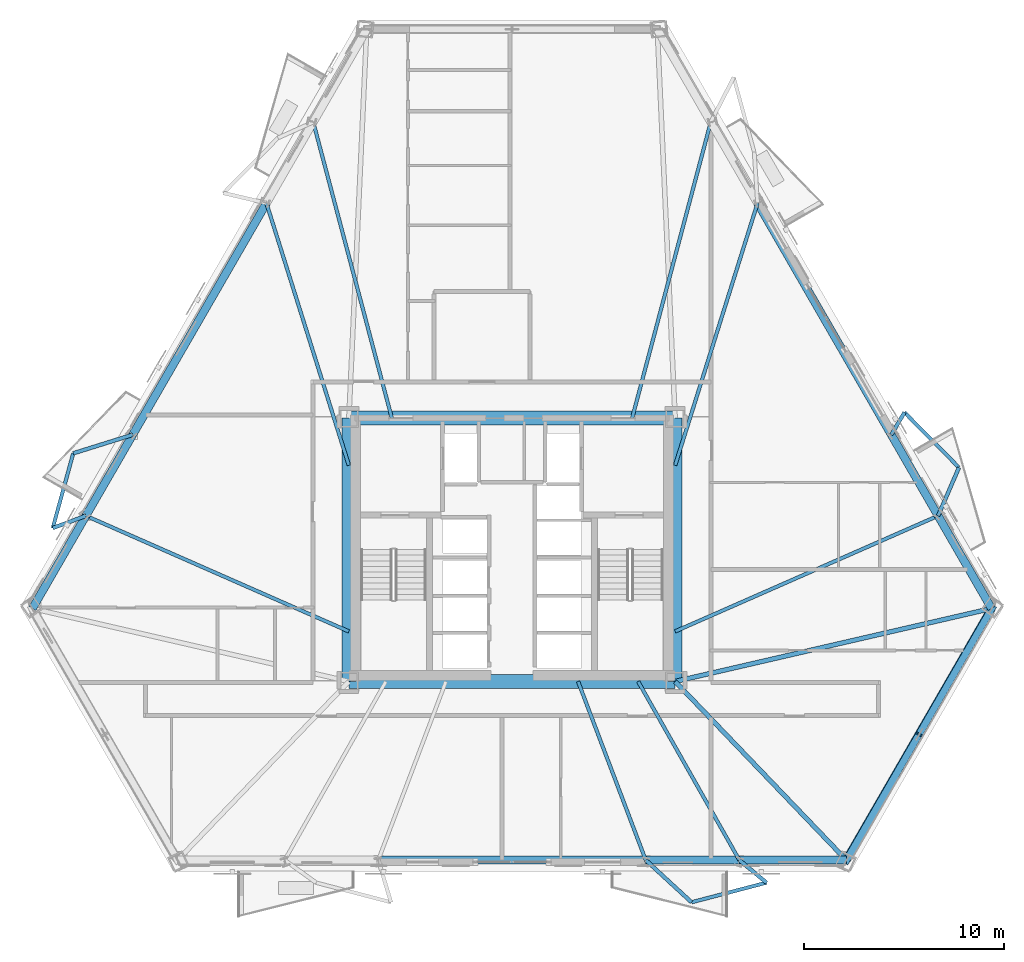
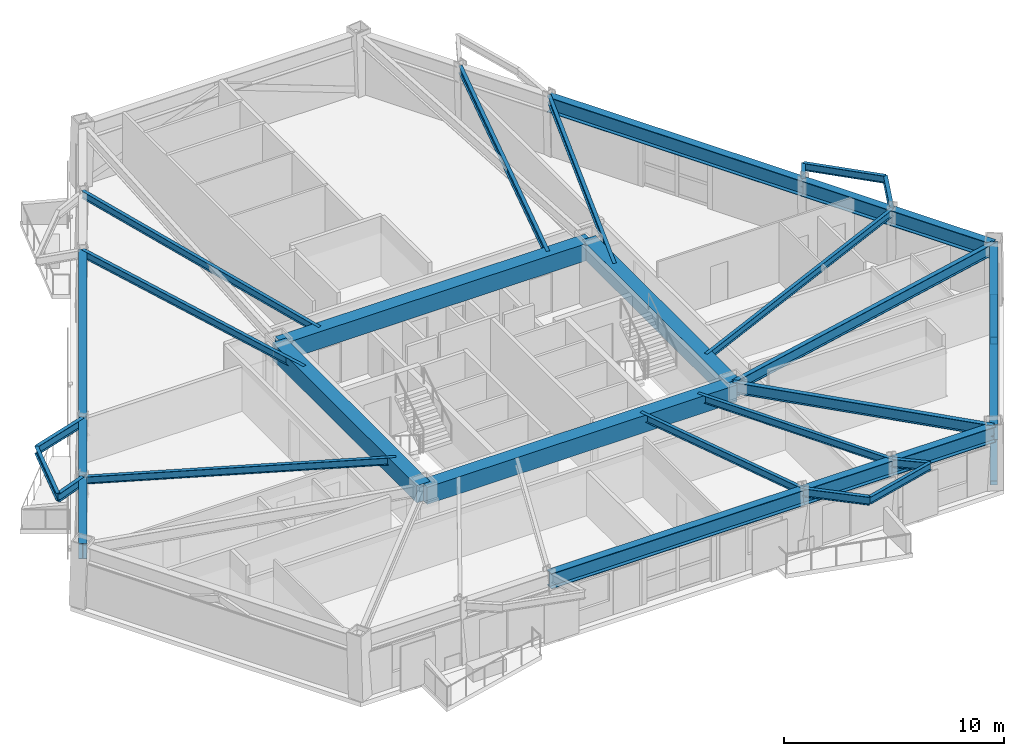
# One storey, part 3 of 15: 33 beams, 2 members.
"""IFC4 building model written with IfcOpenShell, lengths in metres."""

from ifc_helpers import new_model, si_unit, direction, frame, origin, origin_2d, place, context, subcontext, project, spatial, rectangle, hollow_rectangle, i_section, extrude, material, material_profile, profile_set, type_object, element, save


model = new_model("IFC4")

# Units and contexts
model_context = context("Model", 3, precision=1e-05, world=origin(), true_north=direction((0.0, 1.0)))
body_context = subcontext(model_context, "Body", "Model", "MODEL_VIEW")
ifc_project = project(units=[si_unit("LENGTHUNIT", "METRE"), si_unit("AREAUNIT", "SQUARE_METRE"), si_unit("VOLUMEUNIT", "CUBIC_METRE"), si_unit("PLANEANGLEUNIT", "RADIAN"), si_unit("MASSUNIT", "GRAM", prefix="KILO")], contexts=[model_context])

# Site, building, storey
site_placement = place(None, origin())
site = spatial("IfcSite", under=ifc_project, at=site_placement, CompositionType="ELEMENT")
building_placement = place(site_placement, origin())
building = spatial("IfcBuilding", under=site, at=building_placement, Name="Oramaril Tower", CompositionType="ELEMENT")
storey_placement = place(building_placement, frame((0.0, 0.0, 48.89990234375)))
storey = spatial("IfcBuildingStorey", under=building, at=storey_placement, Name="L12", CompositionType="ELEMENT", Elevation=48.89990234375)

# Beams
ifc_material_1 = material(Name="Steel ASTM A572 Gr 50", Category="steel")
ifc_material_profile_1 = material_profile(ifc_material_1, i_section(OverallWidth=0.19091796875, OverallDepth=0.45703125, WebThickness=0.009033203125, FlangeThickness=0.014404296875, at=origin_2d()), Name="W18X50")
ifc_profile_set_1 = profile_set([ifc_material_profile_1], Name="Steel ASTM A572 Gr 50")
beam_type_1 = type_object("IfcBeamType", Name="BT-BB1", PredefinedType="BEAM", material=ifc_profile_set_1)
beam_1_placement = place(storey_placement, frame((44.180419921875, 2.07763671875, 3.131591796875), z_axis=(0.735615063105, -0.67739979254, 0.0), x_axis=(0.67739979254, 0.735615063105, 0.0)))
element("IfcBeam", 1, at=beam_1_placement, inside=storey, type_object=beam_type_1, Name="L12 Balcony Column-Framed Cantilever 02.1", PredefinedType="BEAM", context=body_context, shape_type="SweptSolid", body=[
    extrude(i_section(OverallWidth=0.19091796875, OverallDepth=0.45703125, WebThickness=0.009033203125, FlangeThickness=0.014404296875, at=origin_2d()), origin(), (0.0, 0.0, 1.0), 3.11181640625),
])
beam_2_placement = place(storey_placement, frame((48.856689453125, 2.07763671875, 3.131591796875), z_axis=(0.768958021839, -0.63929927315, 0.0), x_axis=(0.63929927315, 0.768958021839, 0.0)))
element("IfcBeam", 2, at=beam_2_placement, inside=storey, type_object=beam_type_1, Name="L12 Balcony Column-Framed Cantilever 02.2", PredefinedType="BEAM", context=body_context, shape_type="SweptSolid", body=[
    extrude(i_section(OverallWidth=0.19091796875, OverallDepth=0.45703125, WebThickness=0.009033203125, FlangeThickness=0.014404296875, at=origin_2d()), origin(), (0.0, 0.0, 1.0), 1.764404296875),
])
beam_3_placement = place(storey_placement, frame((58.7861328125, 19.27587890625, 3.131591796875), z_axis=(0.396407536586, 0.91807465107, 0.0), x_axis=(-0.91807465107, 0.396407536586, 0.0)))
element("IfcBeam", 3, at=beam_3_placement, inside=storey, type_object=beam_type_1, Name="L12 Balcony Column-Framed Cantilever 03.1", PredefinedType="BEAM", context=body_context, shape_type="SweptSolid", body=[
    extrude(i_section(OverallWidth=0.19091796875, OverallDepth=0.45703125, WebThickness=0.009033203125, FlangeThickness=0.014404296875, at=origin_2d()), origin(), (0.0, 0.0, 1.0), 2.62744140625),
])
beam_4_placement = place(storey_placement, frame((56.447998046875, 23.32568359375, 3.131591796875), z_axis=(0.508856344049, 0.860851451251, 0.0), x_axis=(-0.860851451251, 0.508856344049, 0.0)))
element("IfcBeam", 4, at=beam_4_placement, inside=storey, type_object=beam_type_1, Name="L12 Balcony Column-Framed Cantilever 03.2", PredefinedType="BEAM", context=body_context, shape_type="SweptSolid", body=[
    extrude(i_section(OverallWidth=0.19091796875, OverallDepth=0.45703125, WebThickness=0.009033203125, FlangeThickness=0.014404296875, at=origin_2d()), origin(), (0.0, 0.0, 1.0), 1.294921875),
])
beam_5_placement = place(storey_placement, frame((18.552001953125, 23.32568359375, 3.131591796875), z_axis=(-0.954454847467, -0.298355399056, 0.0), x_axis=(0.298355399056, -0.954454847467, 0.0)))
element("IfcBeam", 5, at=beam_5_placement, inside=storey, type_object=beam_type_1, Name="L12 Balcony Column-Framed Cantilever 06.1", PredefinedType="BEAM", context=body_context, shape_type="SweptSolid", body=[
    extrude(i_section(OverallWidth=0.19091796875, OverallDepth=0.45703125, WebThickness=0.009033203125, FlangeThickness=0.014404296875, at=origin_2d()), origin(), (0.0, 0.0, 1.0), 3.112060546875),
])
beam_6_placement = place(storey_placement, frame((16.2138671875, 19.27587890625, 3.131591796875), z_axis=(-0.938113764976, -0.346327249813, 0.0), x_axis=(0.346327249813, -0.938113764976, 0.0)))
element("IfcBeam", 6, at=beam_6_placement, inside=storey, type_object=beam_type_1, Name="L12 Balcony Column-Framed Cantilever 06.2", PredefinedType="BEAM", context=body_context, shape_type="SweptSolid", body=[
    extrude(i_section(OverallWidth=0.19091796875, OverallDepth=0.45703125, WebThickness=0.009033203125, FlangeThickness=0.014404296875, at=origin_2d()), origin(), (0.0, 0.0, 1.0), 1.764404296875),
])
ifc_material_2 = material(Name="Concrete C50/60", Category="concrete")
ifc_material_profile_2 = material_profile(ifc_material_2, rectangle(XDim=0.699951171875, YDim=0.949951171875, at=origin_2d()), Name="CB700X950")
ifc_profile_set_2 = profile_set([ifc_material_profile_2], Name="Concrete C50/60")
beam_type_2 = type_object("IfcBeamType", Name="BT-CB1", PredefinedType="BEAM", material=ifc_profile_set_2)
beam_7_placement = place(storey_placement, frame((29.35009765625, 11.0, 2.885009765625), z_axis=(1.0, 0.0, 0.0), x_axis=(0.0, 1.0, 0.0)))
element("IfcBeam", 7, at=beam_7_placement, inside=storey, type_object=beam_type_2, Name="L12 Core Header Beam CB-1", PredefinedType="BEAM", context=body_context, shape_type="SweptSolid", body=[
    extrude(rectangle(XDim=0.699951171875, YDim=0.949951171875, at=origin_2d()), origin(), (0.0, 0.0, 1.0), 16.2998046875),
])
beam_8_placement = place(storey_placement, frame((45.64990234375, 11.0, 2.885009765625), z_axis=(0.0, 1.0, 0.0), x_axis=(-1.0, 0.0, 0.0)))
element("IfcBeam", 8, at=beam_8_placement, inside=storey, type_object=beam_type_2, Name="L12 Core Header Beam CB-2", PredefinedType="BEAM", context=body_context, shape_type="SweptSolid", body=[
    extrude(rectangle(XDim=0.699951171875, YDim=0.949951171875, at=origin_2d()), origin(), (0.0, 0.0, 1.0), 13.14990234375),
])
beam_9_placement = place(storey_placement, frame((45.64990234375, 24.14990234375, 2.885009765625), z_axis=(-1.0, 0.0, 0.0), x_axis=(0.0, -1.0, 0.0)))
element("IfcBeam", 9, at=beam_9_placement, inside=storey, type_object=beam_type_2, Name="L12 Core Header Beam CB-3", PredefinedType="BEAM", context=body_context, shape_type="SweptSolid", body=[
    extrude(rectangle(XDim=0.699951171875, YDim=0.949951171875, at=origin_2d()), origin(), (0.0, 0.0, 1.0), 16.2998046875),
])
beam_10_placement = place(storey_placement, frame((29.35009765625, 24.14990234375, 2.885009765625), z_axis=(0.0, -1.0, 0.0), x_axis=(1.0, 0.0, 0.0)))
element("IfcBeam", 10, at=beam_10_placement, inside=storey, type_object=beam_type_2, Name="L12 Core Header Beam CB-4", PredefinedType="BEAM", context=body_context, shape_type="SweptSolid", body=[
    extrude(rectangle(XDim=0.699951171875, YDim=0.949951171875, at=origin_2d()), origin(), (0.0, 0.0, 1.0), 13.14990234375),
])
ifc_material_3 = material(Name="Steel ASTM A572 Gr 50", Category="steel")
ifc_material_profile_3 = material_profile(ifc_material_3, i_section(OverallWidth=0.22900390625, OverallDepth=0.612060546875, WebThickness=0.011962890625, FlangeThickness=0.01953125, at=origin_2d()), Name="W24X84")
ifc_profile_set_3 = profile_set([ifc_material_profile_3], Name="Steel ASTM A572 Gr 50")
beam_type_3 = type_object("IfcBeamType", Name="BT-FB1", PredefinedType="BEAM", material=ifc_profile_set_3)
beam_11_placement = place(storey_placement, frame((45.64990234375, 11.0, 3.05419921875), z_axis=(0.691923383988, -0.721970934796, 0.0), x_axis=(0.721970934796, 0.691923383988, 0.0)))
element("IfcBeam", 11, at=beam_11_placement, inside=storey, type_object=beam_type_3, Name="L12 Radial Primary Beam RB-03", PredefinedType="BEAM", context=body_context, shape_type="SweptSolid", body=[
    extrude(i_section(OverallWidth=0.22900390625, OverallDepth=0.612060546875, WebThickness=0.011962890625, FlangeThickness=0.01953125, at=origin_2d()), origin(), (0.0, 0.0, 1.0), 12.3583984375),
])
beam_12_placement = place(storey_placement, frame((45.64990234375, 11.0, 3.05419921875), z_axis=(0.974396267927, 0.224837525893, 0.0), x_axis=(-0.224837525893, 0.974396267927, 0.0)))
element("IfcBeam", 12, at=beam_12_placement, inside=storey, type_object=beam_type_3, Name="L12 Radial Primary Beam RB-04", PredefinedType="BEAM", context=body_context, shape_type="SweptSolid", body=[
    extrude(i_section(OverallWidth=0.22900390625, OverallDepth=0.612060546875, WebThickness=0.011962890625, FlangeThickness=0.01953125, at=origin_2d()), origin(), (0.0, 0.0, 1.0), 16.2236328125),
])
ifc_material_4 = material(Name="Steel ASTM A572 Gr 50", Category="steel")
ifc_material_profile_4 = material_profile(ifc_material_4, i_section(OverallWidth=0.177978515625, OverallDepth=0.404052734375, WebThickness=0.007568359375, FlangeThickness=0.010986328125, at=origin_2d()), Name="W16X36")
ifc_profile_set_4 = profile_set([ifc_material_profile_4], Name="Steel ASTM A572 Gr 50")
beam_type_4 = type_object("IfcBeamType", Name="BT-SB1", PredefinedType="BEAM", material=ifc_profile_set_4)
beam_13_placement = place(storey_placement, frame((40.800048828125, 11.0, 3.158203125), z_axis=(0.354290124867, -0.93513555564, 0.0), x_axis=(0.93513555564, 0.354290124867, 0.0)))
element("IfcBeam", 13, at=beam_13_placement, inside=storey, type_object=beam_type_4, Name="L12 Secondary Floor Beam SB-03", PredefinedType="BEAM", context=body_context, shape_type="SweptSolid", body=[
    extrude(i_section(OverallWidth=0.177978515625, OverallDepth=0.404052734375, WebThickness=0.007568359375, FlangeThickness=0.010986328125, at=origin_2d()), origin(), (0.0, 0.0, 1.0), 9.541259765625),
])
beam_14_placement = place(storey_placement, frame((43.800048828125, 11.0, 3.158203125), z_axis=(0.493059421442, -0.869995636154, 0.0), x_axis=(0.869995636154, 0.493059421442, 0.0)))
element("IfcBeam", 14, at=beam_14_placement, inside=storey, type_object=beam_type_4, Name="L12 Secondary Floor Beam SB-04", PredefinedType="BEAM", context=body_context, shape_type="SweptSolid", body=[
    extrude(i_section(OverallWidth=0.177978515625, OverallDepth=0.404052734375, WebThickness=0.007568359375, FlangeThickness=0.010986328125, at=origin_2d()), origin(), (0.0, 0.0, 1.0), 10.255615234375),
])
beam_15_placement = place(storey_placement, frame((45.64990234375, 13.5, 3.158203125), z_axis=(0.915419362294, 0.402501417559, 0.0), x_axis=(-0.402501417559, 0.915419362294, 0.0)))
element("IfcBeam", 15, at=beam_15_placement, inside=storey, type_object=beam_type_4, Name="L12 Secondary Floor Beam SB-05", PredefinedType="BEAM", context=body_context, shape_type="SweptSolid", body=[
    extrude(i_section(OverallWidth=0.177978515625, OverallDepth=0.404052734375, WebThickness=0.007568359375, FlangeThickness=0.010986328125, at=origin_2d()), origin(), (0.0, 0.0, 1.0), 14.349853515625),
])
beam_16_placement = place(storey_placement, frame((45.64990234375, 21.800048828125, 3.158203125), z_axis=(0.299936189096, 0.953959266672, 0.0), x_axis=(-0.953959266672, 0.299936189096, 0.0)))
element("IfcBeam", 16, at=beam_16_placement, inside=storey, type_object=beam_type_4, Name="L12 Secondary Floor Beam SB-06", PredefinedType="BEAM", context=body_context, shape_type="SweptSolid", body=[
    extrude(i_section(OverallWidth=0.177978515625, OverallDepth=0.404052734375, WebThickness=0.007568359375, FlangeThickness=0.010986328125, at=origin_2d()), origin(), (0.0, 0.0, 1.0), 13.728515625),
])
for number, where, z_axis, x_axis, name in (
    (17, (43.5, 24.14990234375, 3.158203125), (0.256670940211, 0.966498850724, 0.0), (-0.966498850724, 0.256670940211, 0.0), "L12 Secondary Floor Beam SB-07"),
    (18, (31.5, 24.14990234375, 3.158203125), (-0.256670940211, 0.966498850724, 0.0), (-0.966498850724, -0.256670940211, 0.0), "L12 Secondary Floor Beam SB-08"),
):
    element("IfcBeam", number, at=place(storey_placement, frame(where, z_axis=z_axis, x_axis=x_axis)), inside=storey, type_object=beam_type_4, Name=name, PredefinedType="BEAM", context=body_context, shape_type="SweptSolid", body=[
        extrude(i_section(OverallWidth=0.177978515625, OverallDepth=0.404052734375, WebThickness=0.007568359375, FlangeThickness=0.010986328125, at=origin_2d()), origin(), (0.0, 0.0, 1.0), 15.309326171875),
    ])
beam_17_placement = place(storey_placement, frame((29.35009765625, 21.800048828125, 3.158203125), z_axis=(-0.299936189096, 0.953959266672, 0.0), x_axis=(-0.953959266672, -0.299936189096, 0.0)))
element("IfcBeam", 19, at=beam_17_placement, inside=storey, type_object=beam_type_4, Name="L12 Secondary Floor Beam SB-09", PredefinedType="BEAM", context=body_context, shape_type="SweptSolid", body=[
    extrude(i_section(OverallWidth=0.177978515625, OverallDepth=0.404052734375, WebThickness=0.007568359375, FlangeThickness=0.010986328125, at=origin_2d()), origin(), (0.0, 0.0, 1.0), 13.728515625),
])
beam_18_placement = place(storey_placement, frame((29.35009765625, 13.5, 3.158203125), z_axis=(-0.915419362294, 0.402501417559, 0.0), x_axis=(-0.402501417559, -0.915419362294, 0.0)))
element("IfcBeam", 20, at=beam_18_placement, inside=storey, type_object=beam_type_4, Name="L12 Secondary Floor Beam SB-10", PredefinedType="BEAM", context=body_context, shape_type="SweptSolid", body=[
    extrude(i_section(OverallWidth=0.177978515625, OverallDepth=0.404052734375, WebThickness=0.007568359375, FlangeThickness=0.010986328125, at=origin_2d()), origin(), (0.0, 0.0, 1.0), 14.349853515625),
])
for number, where, z_axis, x_axis, name in (
    (21, (46.469482421875, -0.0302734375, 3.158203125), (0.967407922874, 0.253223045479, 0.0), (-0.253223045479, 0.967407922874, 0.0), "L12 Balcony Edge Tie Beam 02"),
    (22, (59.82763671875, 21.68798828125, 3.158203125), (-0.702994511648, 0.71119527318, 0.0), (-0.71119527318, -0.702994511648, 0.0), "L12 Balcony Edge Tie Beam 03"),
    (23, (15.581787109375, 22.397216796875, 3.158203125), (-0.264382243015, -0.964417974521, 0.0), (0.964417974521, -0.264382243015, 0.0), "L12 Balcony Edge Tie Beam 06"),
):
    element("IfcBeam", number, at=place(storey_placement, frame(where, z_axis=z_axis, x_axis=x_axis)), inside=storey, type_object=beam_type_4, Name=name, PredefinedType="BEAM", context=body_context, shape_type="SweptSolid", body=[
        extrude(i_section(OverallWidth=0.177978515625, OverallDepth=0.404052734375, WebThickness=0.007568359375, FlangeThickness=0.010986328125, at=origin_2d()), origin(), (0.0, 0.0, 1.0), 3.8701171875),
    ])
ifc_material_5 = material(Name="Steel ASTM A572 Gr 50", Category="steel")
ifc_material_profile_5 = material_profile(ifc_material_5, i_section(OverallWidth=0.40087890625, OverallDepth=0.85595703125, WebThickness=0.018310546875, FlangeThickness=0.029296875, at=origin_2d()), Name="W33X201")
ifc_profile_set_5 = profile_set([ifc_material_profile_5], Name="Steel ASTM A572 Gr 50")
beam_type_5 = type_object("IfcBeamType", Name="BT-SP1", PredefinedType="SPANDREL", material=ifc_profile_set_5)
beam_19_placement = place(storey_placement, frame((30.819580078125, 2.07763671875, 2.93212890625), z_axis=(1.0, 0.0, 0.0), x_axis=(0.0, 1.0, 0.0)))
element("IfcBeam", 24, at=beam_19_placement, inside=storey, type_object=beam_type_5, Name="L12 Perimeter Spandrel 04", PredefinedType="SPANDREL", context=body_context, shape_type="SweptSolid", body=[
    extrude(i_section(OverallWidth=0.40087890625, OverallDepth=0.85595703125, WebThickness=0.018310546875, FlangeThickness=0.029296875, at=origin_2d()), origin(), (0.0, 0.0, 1.0), 13.36083984375),
])
beam_20_placement = place(storey_placement, frame((44.180419921875, 2.07763671875, 2.93212890625), z_axis=(1.0, 0.0, 0.0), x_axis=(0.0, 1.0, 0.0)))
element("IfcBeam", 25, at=beam_20_placement, inside=storey, type_object=beam_type_5, Name="L12 Perimeter Spandrel 05", PredefinedType="SPANDREL", context=body_context, shape_type="SweptSolid", body=[
    extrude(i_section(OverallWidth=0.40087890625, OverallDepth=0.85595703125, WebThickness=0.018310546875, FlangeThickness=0.029296875, at=origin_2d()), origin(), (0.0, 0.0, 1.0), 4.67626953125),
])
beam_21_placement = place(storey_placement, frame((48.856689453125, 2.07763671875, 2.93212890625), z_axis=(1.0, 0.0, 0.0), x_axis=(0.0, 1.0, 0.0)))
element("IfcBeam", 26, at=beam_21_placement, inside=storey, type_object=beam_type_5, Name="L12 Perimeter Spandrel 06", PredefinedType="SPANDREL", context=body_context, shape_type="SweptSolid", body=[
    extrude(i_section(OverallWidth=0.40087890625, OverallDepth=0.85595703125, WebThickness=0.018310546875, FlangeThickness=0.029296875, at=origin_2d()), origin(), (0.0, 0.0, 1.0), 5.34423828125),
])
beam_22_placement = place(storey_placement, frame((54.200927734375, 2.07763671875, 2.93212890625), z_axis=(0.49999957979, 0.866025646392, 0.0), x_axis=(-0.866025646392, 0.49999957979, 0.0)))
element("IfcBeam", 27, at=beam_22_placement, inside=storey, type_object=beam_type_5, Name="L12 Perimeter Spandrel 07", PredefinedType="SPANDREL", context=body_context, shape_type="SweptSolid", body=[
    extrude(i_section(OverallWidth=0.40087890625, OverallDepth=0.85595703125, WebThickness=0.018310546875, FlangeThickness=0.029296875, at=origin_2d()), origin(), (0.0, 0.0, 1.0), 14.5146484375),
])
beam_23_placement = place(storey_placement, frame((61.458251953125, 14.647705078125, 2.93212890625), z_axis=(-0.50000585708, 0.866022022171, 0.0), x_axis=(-0.866022022171, -0.50000585708, 0.0)))
element("IfcBeam", 28, at=beam_23_placement, inside=storey, type_object=beam_type_5, Name="L12 Perimeter Spandrel 08", PredefinedType="SPANDREL", context=body_context, shape_type="SweptSolid", body=[
    extrude(i_section(OverallWidth=0.40087890625, OverallDepth=0.85595703125, WebThickness=0.018310546875, FlangeThickness=0.029296875, at=origin_2d()), origin(), (0.0, 0.0, 1.0), 5.34423828125),
])
beam_24_placement = place(storey_placement, frame((58.7861328125, 19.27587890625, 2.93212890625), z_axis=(-0.499996622187, 0.866027353957, 0.0), x_axis=(-0.866027353957, -0.499996622187, 0.0)))
element("IfcBeam", 29, at=beam_24_placement, inside=storey, type_object=beam_type_5, Name="L12 Perimeter Spandrel 09", PredefinedType="SPANDREL", context=body_context, shape_type="SweptSolid", body=[
    extrude(i_section(OverallWidth=0.40087890625, OverallDepth=0.85595703125, WebThickness=0.018310546875, FlangeThickness=0.029296875, at=origin_2d()), origin(), (0.0, 0.0, 1.0), 4.67626953125),
])
for number, where, z_axis, x_axis, name in (
    (30, (56.447998046875, 23.32568359375, 2.93212890625), (-0.500000840671, 0.866024918422, 0.0), (-0.866024918422, -0.500000840671, 0.0), "L12 Perimeter Spandrel 10"),
    (31, (25.232421875, 34.896484375, 2.93212890625), (-0.500000840671, -0.866024918422, 0.0), (0.866024918422, -0.500000840671, 0.0), "L12 Perimeter Spandrel 16"),
):
    element("IfcBeam", number, at=place(storey_placement, frame(where, z_axis=z_axis, x_axis=x_axis)), inside=storey, type_object=beam_type_5, Name=name, PredefinedType="SPANDREL", context=body_context, shape_type="SweptSolid", body=[
        extrude(i_section(OverallWidth=0.40087890625, OverallDepth=0.85595703125, WebThickness=0.018310546875, FlangeThickness=0.029296875, at=origin_2d()), origin(), (0.0, 0.0, 1.0), 13.36083984375),
    ])
beam_25_placement = place(storey_placement, frame((18.552001953125, 23.32568359375, 2.93212890625), z_axis=(-0.499996622187, -0.866027353957, 0.0), x_axis=(0.866027353957, -0.499996622187, 0.0)))
element("IfcBeam", 32, at=beam_25_placement, inside=storey, type_object=beam_type_5, Name="L12 Perimeter Spandrel 17", PredefinedType="SPANDREL", context=body_context, shape_type="SweptSolid", body=[
    extrude(i_section(OverallWidth=0.40087890625, OverallDepth=0.85595703125, WebThickness=0.018310546875, FlangeThickness=0.029296875, at=origin_2d()), origin(), (0.0, 0.0, 1.0), 4.67626953125),
])
beam_26_placement = place(storey_placement, frame((16.2138671875, 19.27587890625, 2.93212890625), z_axis=(-0.50000585708, -0.866022022171, 0.0), x_axis=(0.866022022171, -0.50000585708, 0.0)))
element("IfcBeam", 33, at=beam_26_placement, inside=storey, type_object=beam_type_5, Name="L12 Perimeter Spandrel 18", PredefinedType="SPANDREL", context=body_context, shape_type="SweptSolid", body=[
    extrude(i_section(OverallWidth=0.40087890625, OverallDepth=0.85595703125, WebThickness=0.018310546875, FlangeThickness=0.029296875, at=origin_2d()), origin(), (0.0, 0.0, 1.0), 5.34423828125),
])

# Members
ifc_material_6 = material(Name="Steel ASTM A572 Gr 50", Category="steel")
ifc_material_profile_6 = material_profile(ifc_material_6, hollow_rectangle(XDim=0.35009765625, YDim=0.35009765625, WallThickness=0.01611328125, at=origin_2d()), Name="HSS350X350X16")
ifc_profile_set_6 = profile_set([ifc_material_profile_6], Name="Steel ASTM A572 Gr 50")
member_type = type_object("IfcMemberType", Name="MT-KB1", PredefinedType="BRACE", material=ifc_profile_set_6)
member_1_placement = place(storey_placement, frame((54.154296875, 1.978271484375, 0.18017578125), z_axis=(0.468378458322, 0.811272345255, 0.3499411402), x_axis=(-0.866029956157, 0.499992114976, 0.0)))
element("IfcMember", 34, at=member_1_placement, inside=storey, type_object=member_type, Name="L12 Perimeter Chevron Brace KB-2A", PredefinedType="BRACE", context=body_context, shape_type="SweptSolid", body=[
    extrude(hollow_rectangle(XDim=0.35009765625, YDim=0.35009765625, WallThickness=0.01611328125, at=origin_2d()), origin(), (0.0, 0.0, 1.0), 7.864013671875),
])
member_2_placement = place(storey_placement, frame((61.52099609375, 14.73779296875, 0.18017578125), z_axis=(-0.468390255162, -0.811261732461, 0.349949954013), x_axis=(0.866021670914, -0.500006465466, 0.0)))
element("IfcMember", 35, at=member_2_placement, inside=storey, type_object=member_type, Name="L12 Perimeter Chevron Brace KB-2B", PredefinedType="BRACE", context=body_context, shape_type="SweptSolid", body=[
    extrude(hollow_rectangle(XDim=0.35009765625, YDim=0.35009765625, WallThickness=0.01611328125, at=origin_2d()), origin(), (0.0, 0.0, 1.0), 7.86376953125),
])

save(model, "model.ifc")
